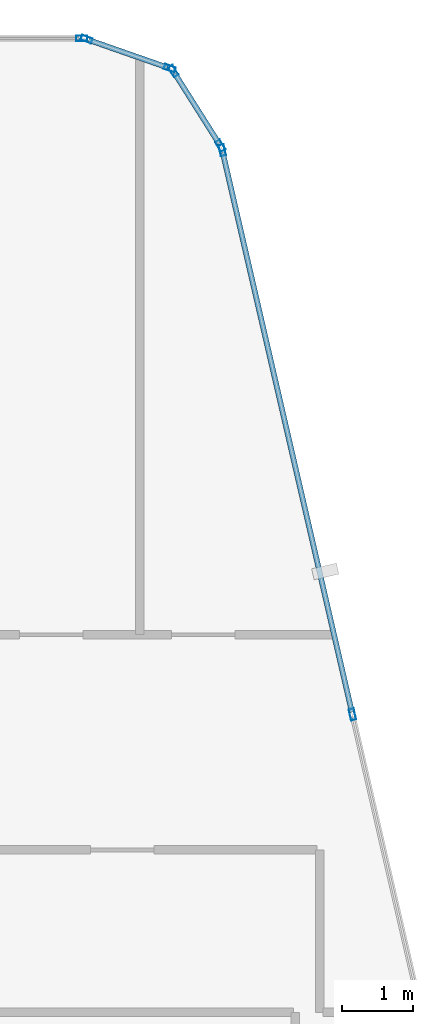
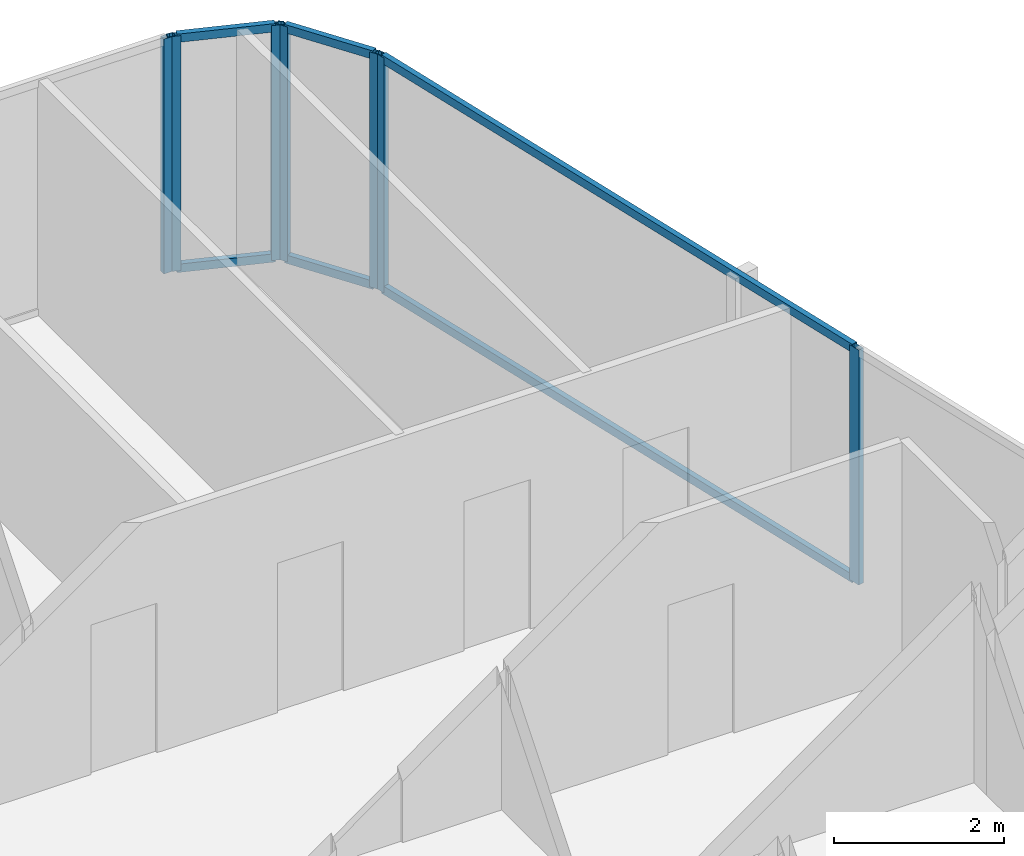
# One storey, part 19 of 27: 13 members, 4 elements without a shape of their own.
"""IFC4 building model written with IfcOpenShell, lengths in metres."""

from ifc_helpers import new_model, si_unit, direction, frame, origin, origin_2d, place, context, subcontext, project, spatial, hollow_rectangle, extrude, material, layer, layer_set, material_profile, profile_set, type_object, element, aggregate, save


model = new_model("IFC4")

# Units and contexts
model_context = context("Model", 3, precision=1e-05, world=origin(), true_north=direction((0.0, 1.0)))
body_context = subcontext(model_context, "Body", "Model", "MODEL_VIEW")
ifc_project = project(units=[si_unit("LENGTHUNIT", "METRE"), si_unit("AREAUNIT", "SQUARE_METRE"), si_unit("VOLUMEUNIT", "CUBIC_METRE"), si_unit("PLANEANGLEUNIT", "RADIAN"), si_unit("MASSUNIT", "GRAM", prefix="KILO")], contexts=[model_context])

# Site, building, storey
site_placement = place(None, origin())
site = spatial("IfcSite", under=ifc_project, at=site_placement, CompositionType="ELEMENT")
building_placement = place(site_placement, origin())
building = spatial("IfcBuilding", under=site, at=building_placement, Name="Keshet Zoharim Tower", CompositionType="ELEMENT")
storey_placement = place(building_placement, frame((0.0, 0.0, 295.39990234375)))
storey = spatial("IfcBuildingStorey", under=building, at=storey_placement, Name="L74", CompositionType="ELEMENT", Elevation=295.39990234375)

# Curtain wall, member
ifc_material = material(Name="Aluminium 6063-T6", Category="aluminium")
ifc_layer = layer(ifc_material, 0.260009765625)
ifc_layer_set = layer_set([ifc_layer], Name="Aluminium 6063-T6")
curtain_wall_type = type_object("IfcCurtainWallType", Name="CW-SYS-06", PredefinedType="NOTDEFINED", material=ifc_layer_set)
curtain_wall_1_placement = place(storey_placement, origin())
curtain_wall_1 = element("IfcCurtainWall", 1, at=curtain_wall_1_placement, inside=storey, type_object=curtain_wall_type, Name="L74 Unitised Curtain Wall 06 Part 5", PredefinedType="NOTDEFINED")
ifc_material_profile_1 = material_profile(ifc_material, hollow_rectangle(XDim=0.074951171875, YDim=0.159912109375, WallThickness=0.00390625, at=origin_2d()), Name="MUL-75x160")
ifc_profile_set_1 = profile_set([ifc_material_profile_1], Name="Aluminium 6063-T6")
member_type_1 = type_object("IfcMemberType", Name="CWM-M15", PredefinedType="MULLION", material=ifc_profile_set_1)
member_1_placement = place(storey_placement, frame((37.3740234375, 53.89990234375, 0.0), z_axis=(0.0, 0.0, 1.0), x_axis=(0.0, 1.0, 0.0)))
member_1 = element("IfcMember", 2, at=member_1_placement, type_object=member_type_1, Name="CW-06 mullion 2", PredefinedType="MULLION", context=body_context, shape_type="SweptSolid", body=[
    extrude(hollow_rectangle(XDim=0.074951171875, YDim=0.159912109375, WallThickness=0.00390625, at=origin_2d()), origin(), (0.0, 0.0, 1.0), 3.380126953125),
])
aggregate(curtain_wall_1, [member_1])

# Curtain wall, members
curtain_wall_2_placement = place(storey_placement, origin())
curtain_wall_2 = element("IfcCurtainWall", 3, at=curtain_wall_2_placement, inside=storey, type_object=curtain_wall_type, Name="L74 Unitised Curtain Wall 07", PredefinedType="NOTDEFINED")
member_2_placement = place(storey_placement, frame((37.442138671875, 53.888427734375, 0.0), z_axis=(0.0, 0.0, 1.0), x_axis=(0.329843743636, 0.944035542119, 0.0)))
member_2 = element("IfcMember", 4, at=member_2_placement, type_object=member_type_1, Name="CW-06 mullion 1", PredefinedType="MULLION", context=body_context, shape_type="SweptSolid", body=[
    extrude(hollow_rectangle(XDim=0.074951171875, YDim=0.159912109375, WallThickness=0.00390625, at=origin_2d()), origin(), (0.0, 0.0, 1.0), 3.380126953125),
])
member_3_placement = place(storey_placement, frame((38.620849609375, 53.4765625, 0.0), z_axis=(0.0, 0.0, 1.0), x_axis=(0.329843743636, 0.944035542119, 0.0)))
member_3 = element("IfcMember", 5, at=member_3_placement, type_object=member_type_1, Name="CW-06 mullion 2", PredefinedType="MULLION", context=body_context, shape_type="SweptSolid", body=[
    extrude(hollow_rectangle(XDim=0.074951171875, YDim=0.159912109375, WallThickness=0.00390625, at=origin_2d()), origin(), (0.0, 0.0, 1.0), 3.380126953125),
])

curtain_wall_3_placement = place(storey_placement, origin())
curtain_wall_3 = element("IfcCurtainWall", 6, at=curtain_wall_3_placement, inside=storey, type_object=curtain_wall_type, Name="L74 Unitised Curtain Wall 08", PredefinedType="NOTDEFINED")
member_4_placement = place(storey_placement, frame((38.672607421875, 53.435302734375, 0.0), z_axis=(0.0, 0.0, 1.0), x_axis=(0.845560976183, 0.533878858502, 0.0)))
member_4 = element("IfcMember", 7, at=member_4_placement, type_object=member_type_1, Name="CW-06 mullion 1", PredefinedType="MULLION", context=body_context, shape_type="SweptSolid", body=[
    extrude(hollow_rectangle(XDim=0.074951171875, YDim=0.159912109375, WallThickness=0.00390625, at=origin_2d()), origin(), (0.0, 0.0, 1.0), 3.380126953125),
])
member_5_placement = place(storey_placement, frame((39.33935546875, 52.379638671875, 0.0), z_axis=(0.0, 0.0, 1.0), x_axis=(0.845560976183, 0.533878858502, 0.0)))
member_5 = element("IfcMember", 8, at=member_5_placement, type_object=member_type_1, Name="CW-06 mullion 2", PredefinedType="MULLION", context=body_context, shape_type="SweptSolid", body=[
    extrude(hollow_rectangle(XDim=0.074951171875, YDim=0.159912109375, WallThickness=0.00390625, at=origin_2d()), origin(), (0.0, 0.0, 1.0), 3.380126953125),
])

curtain_wall_4_placement = place(storey_placement, origin())
curtain_wall_4 = element("IfcCurtainWall", 9, at=curtain_wall_4_placement, inside=storey, type_object=curtain_wall_type, Name="L74 Unitised Curtain Wall 09", PredefinedType="NOTDEFINED")
member_6_placement = place(storey_placement, frame((39.365966796875, 52.31591796875, 0.0), z_axis=(0.0, 0.0, 1.0), x_axis=(0.974398012932, 0.224829963294, 0.0)))
member_6 = element("IfcMember", 10, at=member_6_placement, type_object=member_type_1, Name="CW-06 mullion 1", PredefinedType="MULLION", context=body_context, shape_type="SweptSolid", body=[
    extrude(hollow_rectangle(XDim=0.074951171875, YDim=0.159912109375, WallThickness=0.00390625, at=origin_2d()), origin(), (0.0, 0.0, 1.0), 3.380126953125),
])
member_7_placement = place(storey_placement, frame((41.210693359375, 44.320556640625, 0.0), z_axis=(0.0, 0.0, 1.0), x_axis=(0.974398012932, 0.224829963294, 0.0)))
member_7 = element("IfcMember", 11, at=member_7_placement, type_object=member_type_1, Name="CW-06 mullion 2", PredefinedType="MULLION", context=body_context, shape_type="SweptSolid", body=[
    extrude(hollow_rectangle(XDim=0.074951171875, YDim=0.159912109375, WallThickness=0.00390625, at=origin_2d()), origin(), (0.0, 0.0, 1.0), 3.380126953125),
])

# Member
ifc_material_profile_2 = material_profile(ifc_material, hollow_rectangle(XDim=0.074951171875, YDim=0.1201171875, WallThickness=0.00390625, at=origin_2d()), Name="TRN-75x120")
ifc_profile_set_2 = profile_set([ifc_material_profile_2], Name="Aluminium 6063-T6")
member_type_2 = type_object("IfcMemberType", Name="CWT-T12", PredefinedType="USERDEFINED", material=ifc_profile_set_2)
member_8_placement = place(storey_placement, frame((37.47509765625, 53.876953125, 0.03515625), z_axis=(0.944006789648, -0.329926023675, 0.0), x_axis=(0.329926023675, 0.944006789648, 0.0)))
member_8 = element("IfcMember", 12, at=member_8_placement, type_object=member_type_2, Name="CW-06 transom 1.1", ObjectType="TRANSOM", PredefinedType="USERDEFINED", context=body_context, shape_type="SweptSolid", body=[
    extrude(hollow_rectangle(XDim=0.074951171875, YDim=0.1201171875, WallThickness=0.00390625, at=origin_2d()), origin(), (0.0, 0.0, 1.0), 1.1787109375),
])

member_9_placement = place(storey_placement, frame((37.47509765625, 53.876953125, 3.34521484375), z_axis=(0.944006789648, -0.329926023675, 0.0), x_axis=(0.329926023675, 0.944006789648, 0.0)))
member_9 = element("IfcMember", 13, at=member_9_placement, type_object=member_type_2, Name="CW-06 transom 1.2", ObjectType="TRANSOM", PredefinedType="USERDEFINED", context=body_context, shape_type="SweptSolid", body=[
    extrude(hollow_rectangle(XDim=0.074951171875, YDim=0.1201171875, WallThickness=0.00390625, at=origin_2d()), origin(), (0.0, 0.0, 1.0), 1.1787109375),
])

aggregate(curtain_wall_2, [member_2, member_3, member_8, member_9])

member_10_placement = place(storey_placement, frame((38.69140625, 53.40576171875, 0.03515625), z_axis=(0.53382931122, -0.845592257819, 0.0), x_axis=(0.845592257819, 0.53382931122, 0.0)))
member_10 = element("IfcMember", 14, at=member_10_placement, type_object=member_type_2, Name="CW-06 transom 1.1", ObjectType="TRANSOM", PredefinedType="USERDEFINED", context=body_context, shape_type="SweptSolid", body=[
    extrude(hollow_rectangle(XDim=0.074951171875, YDim=0.1201171875, WallThickness=0.00390625, at=origin_2d()), origin(), (0.0, 0.0, 1.0), 1.178466796875),
])

member_11_placement = place(storey_placement, frame((38.69140625, 53.40576171875, 3.34521484375), z_axis=(0.53382931122, -0.845592257819, 0.0), x_axis=(0.845592257819, 0.53382931122, 0.0)))
member_11 = element("IfcMember", 15, at=member_11_placement, type_object=member_type_2, Name="CW-06 transom 1.2", ObjectType="TRANSOM", PredefinedType="USERDEFINED", context=body_context, shape_type="SweptSolid", body=[
    extrude(hollow_rectangle(XDim=0.074951171875, YDim=0.1201171875, WallThickness=0.00390625, at=origin_2d()), origin(), (0.0, 0.0, 1.0), 1.178466796875),
])

aggregate(curtain_wall_3, [member_4, member_5, member_10, member_11])

member_12_placement = place(storey_placement, frame((39.373779296875, 52.28173828125, 0.03515625), z_axis=(0.224835397421, -0.97439675906, 0.0), x_axis=(0.97439675906, 0.224835397421, 0.0)))
member_12 = element("IfcMember", 16, at=member_12_placement, type_object=member_type_2, Name="CW-06 transom 1.1", ObjectType="TRANSOM", PredefinedType="USERDEFINED", context=body_context, shape_type="SweptSolid", body=[
    extrude(hollow_rectangle(XDim=0.074951171875, YDim=0.1201171875, WallThickness=0.00390625, at=origin_2d()), origin(), (0.0, 0.0, 1.0), 8.13525390625),
])

member_13_placement = place(storey_placement, frame((39.373779296875, 52.28173828125, 3.34521484375), z_axis=(0.224835397421, -0.97439675906, 0.0), x_axis=(0.97439675906, 0.224835397421, 0.0)))
member_13 = element("IfcMember", 17, at=member_13_placement, type_object=member_type_2, Name="CW-06 transom 1.2", ObjectType="TRANSOM", PredefinedType="USERDEFINED", context=body_context, shape_type="SweptSolid", body=[
    extrude(hollow_rectangle(XDim=0.074951171875, YDim=0.1201171875, WallThickness=0.00390625, at=origin_2d()), origin(), (0.0, 0.0, 1.0), 8.13525390625),
])

aggregate(curtain_wall_4, [member_6, member_7, member_12, member_13])

save(model, "model.ifc")
